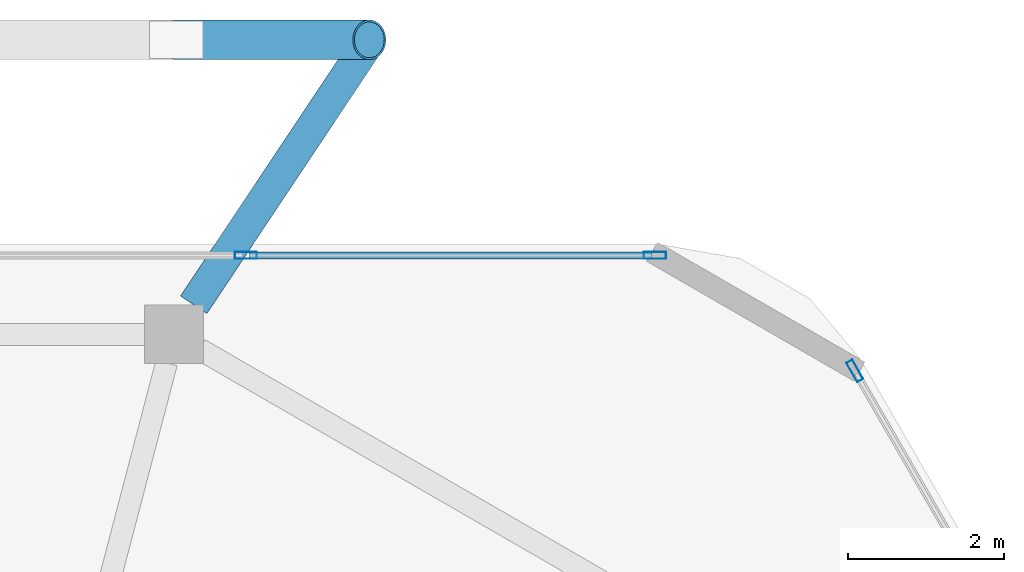
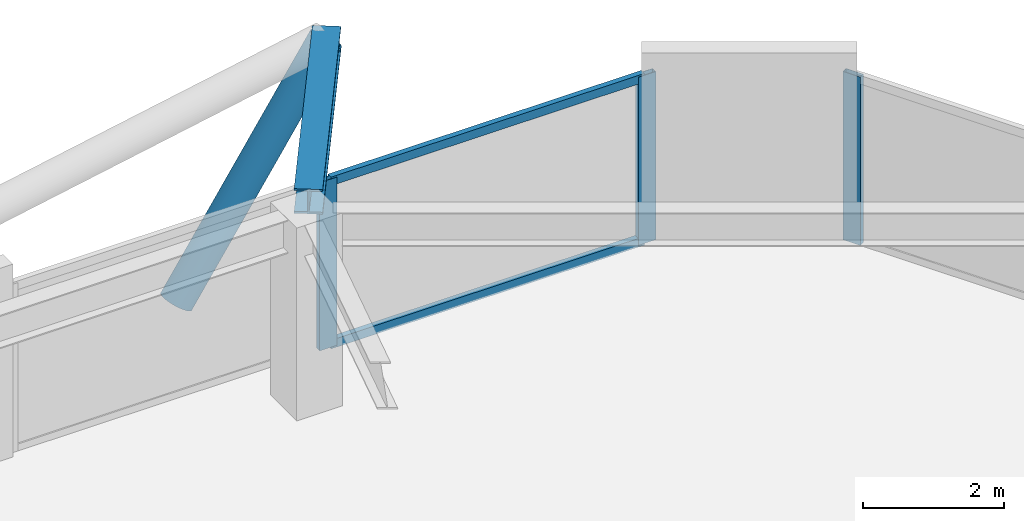
# One storey, part 15 of 23: 6 members, 1 beam, 2 elements without a shape of their own.
"""IFC4 building model written with IfcOpenShell, lengths in metres."""

from ifc_helpers import new_model, si_unit, direction, frame, origin, origin_2d, place, context, subcontext, project, spatial, hollow_rectangle, hollow_circle, i_section, extrude, material, material_profile, profile_set, type_object, element, aggregate, save


model = new_model("IFC4")

# Units and contexts
model_context = context("Model", 3, precision=1e-05, world=origin(), true_north=direction((0.0, 1.0)))
body_context = subcontext(model_context, "Body", "Model", "MODEL_VIEW")
ifc_project = project(units=[si_unit("LENGTHUNIT", "METRE"), si_unit("AREAUNIT", "SQUARE_METRE"), si_unit("VOLUMEUNIT", "CUBIC_METRE"), si_unit("PLANEANGLEUNIT", "RADIAN"), si_unit("MASSUNIT", "GRAM", prefix="KILO")], contexts=[model_context])

# Site, building, storey
site_placement = place(None, origin())
site = spatial("IfcSite", under=ifc_project, at=site_placement, CompositionType="ELEMENT")
building_placement = place(site_placement, origin())
building = spatial("IfcBuilding", under=site, at=building_placement, Name="Zuhravey Tower", CompositionType="ELEMENT")
storey_placement = place(building_placement, frame((0.0, 0.0, 353.800048828125)))
storey = spatial("IfcBuildingStorey", under=building, at=storey_placement, Name="L90", CompositionType="ELEMENT", Elevation=353.800048828125)

# Curtain wall, members
ifc_material_1 = material(Name="Thermally broken anodised aluminium", Category="aluminium")
curtain_wall_type = type_object("IfcCurtainWallType", Name="Zone 3-4 High-Rise Curtain Wall CW4", PredefinedType="NOTDEFINED", material=ifc_material_1)
curtain_wall_1_placement = place(storey_placement, origin())
curtain_wall_1 = element("IfcCurtainWall", 1, at=curtain_wall_1_placement, inside=storey, type_object=curtain_wall_type, Name="L90 CW4 CW-L90-F2-2", PredefinedType="NOTDEFINED")
ifc_material_2 = material(Name="Anodised aluminium", Category="aluminium")
ifc_material_profile_1 = material_profile(ifc_material_2, hollow_rectangle(XDim=0.090087890625, YDim=0.284912109375, WallThickness=0.0048828125, at=origin_2d()), Name="ALU-RHS-90x285x5")
ifc_profile_set_1 = profile_set([ifc_material_profile_1], Name="Anodised aluminium")
member_type_1 = type_object("IfcMemberType", Name="Curtain-Wall Mullion 90x180", PredefinedType="MULLION", material=ifc_profile_set_1)
member_1_placement = place(storey_placement, frame((42.95703125, 56.07421875, 0.0), z_axis=(0.0, 0.0, 1.0), x_axis=(0.0, 1.0, 0.0)))
member_1 = element("IfcMember", 2, at=member_1_placement, type_object=member_type_1, Name="CW4 mullion 2", PredefinedType="MULLION", context=body_context, shape_type="SweptSolid", body=[
    extrude(hollow_rectangle(XDim=0.090087890625, YDim=0.284912109375, WallThickness=0.0048828125, at=origin_2d()), origin(), (0.0, 0.0, 1.0), 2.921875),
])
member_2_placement = place(storey_placement, frame((48.1943359375, 56.07421875, 0.0), z_axis=(0.0, 0.0, 1.0), x_axis=(0.0, 1.0, 0.0)))
member_2 = element("IfcMember", 3, at=member_2_placement, type_object=member_type_1, Name="CW4 mullion 3", PredefinedType="MULLION", context=body_context, shape_type="SweptSolid", body=[
    extrude(hollow_rectangle(XDim=0.090087890625, YDim=0.284912109375, WallThickness=0.0048828125, at=origin_2d()), origin(), (0.0, 0.0, 1.0), 2.921875),
])

# Curtain wall, member
curtain_wall_2_placement = place(storey_placement, origin())
curtain_wall_2 = element("IfcCurtainWall", 4, at=curtain_wall_2_placement, inside=storey, type_object=curtain_wall_type, Name="L90 CW4 CW-L90-F1-1", PredefinedType="NOTDEFINED")
member_3_placement = place(storey_placement, frame((50.751708984375, 54.59765625, 0.0), z_axis=(0.0, 0.0, 1.0), x_axis=(0.866025511541, 0.49999981336, 0.0)))
member_3 = element("IfcMember", 5, at=member_3_placement, type_object=member_type_1, Name="CW4 mullion 1", PredefinedType="MULLION", context=body_context, shape_type="SweptSolid", body=[
    extrude(hollow_rectangle(XDim=0.090087890625, YDim=0.284912109375, WallThickness=0.0048828125, at=origin_2d()), origin(), (0.0, 0.0, 1.0), 2.921875),
])
aggregate(curtain_wall_2, [member_3])

# Member
ifc_material_profile_2 = material_profile(ifc_material_2, hollow_rectangle(XDim=0.090087890625, YDim=0.14990234375, WallThickness=0.0048828125, at=origin_2d()), Name="ALU-RHS-90x150x5")
ifc_profile_set_2 = profile_set([ifc_material_profile_2], Name="Anodised aluminium")
member_type_2 = type_object("IfcMemberType", Name="Curtain-Wall Transom 90x150", PredefinedType="USERDEFINED", material=ifc_profile_set_2)
member_4_placement = place(storey_placement, frame((43.002197265625, 56.07421875, 0.044921875), z_axis=(1.0, 0.0, 0.0), x_axis=(0.0, 1.0, 0.0)))
member_4 = element("IfcMember", 6, at=member_4_placement, type_object=member_type_2, Name="CW4 transom 2.1", ObjectType="TRANSOM", PredefinedType="USERDEFINED", context=body_context, shape_type="SweptSolid", body=[
    extrude(hollow_rectangle(XDim=0.090087890625, YDim=0.14990234375, WallThickness=0.0048828125, at=origin_2d()), origin(), (0.0, 0.0, 1.0), 5.147216796875),
])

member_5_placement = place(storey_placement, frame((43.002197265625, 56.07421875, 2.876953125), z_axis=(1.0, 0.0, 0.0), x_axis=(0.0, 1.0, 0.0)))
member_5 = element("IfcMember", 7, at=member_5_placement, type_object=member_type_2, Name="CW4 transom 2.2", ObjectType="TRANSOM", PredefinedType="USERDEFINED", context=body_context, shape_type="SweptSolid", body=[
    extrude(hollow_rectangle(XDim=0.090087890625, YDim=0.14990234375, WallThickness=0.0048828125, at=origin_2d()), origin(), (0.0, 0.0, 1.0), 5.147216796875),
])

aggregate(curtain_wall_1, [member_1, member_2, member_4, member_5])

# Beam
ifc_material_3 = material(Name="Steel SM460", Category="steel")
ifc_material_profile_3 = material_profile(ifc_material_3, i_section(OverallWidth=0.406982421875, OverallDepth=0.427978515625, WebThickness=0.02001953125, FlangeThickness=0.034912109375, at=origin_2d()), Name="H-428x407x20x35")
ifc_profile_set_3 = profile_set([ifc_material_profile_3], Name="Steel SM460")
beam_type = type_object("IfcBeamType", Name="Exoskeleton Node Tie Beam H428x407", PredefinedType="BEAM", material=ifc_profile_set_3)
beam_placement = place(storey_placement, frame((42.290771484375, 55.4423828125, 3.135986328125), z_axis=(0.554311580134, 0.832309240685, 0.0), x_axis=(-0.832309240685, 0.554311580134, 0.0)))
element("IfcBeam", 8, at=beam_placement, inside=storey, type_object=beam_type, Name="L90 Exoskeleton Node Tie NT1-03", PredefinedType="BEAM", context=body_context, shape_type="SweptSolid", body=[
    extrude(i_section(OverallWidth=0.406982421875, OverallDepth=0.427978515625, WebThickness=0.02001953125, FlangeThickness=0.034912109375, at=origin_2d()), origin(), (0.0, 0.0, 1.0), 4.06005859375),
])

# Member
ifc_material_4 = material(Name="Steel SM355", Category="steel")
ifc_material_profile_4 = material_profile(ifc_material_4, hollow_circle(Radius=0.25390625, WallThickness=0.02490234375, at=origin_2d()), Name="CHS-508.0x25")
ifc_profile_set_4 = profile_set([ifc_material_profile_4], Name="Steel SM355")
member_type_3 = type_object("IfcMemberType", Name="Exoskeleton Zone 4 Diagrid CHS508x25", PredefinedType="BRACE", material=ifc_profile_set_4)
member_6_placement = place(storey_placement, frame((42.078125, 58.833984375, -0.5830078125), z_axis=(0.553470379521, 0.0, 0.832868860621), x_axis=(0.0, 1.0, 0.0)))
element("IfcMember", 9, at=member_6_placement, inside=storey, type_object=member_type_3, Name="L90 Face 2 Diagrid Brace 1", PredefinedType="BRACE", context=body_context, shape_type="SweptSolid", body=[
    extrude(hollow_circle(Radius=0.25390625, WallThickness=0.02490234375, at=origin_2d()), origin(), (0.0, 0.0, 1.0), 4.446044921875),
])

save(model, "model.ifc")
